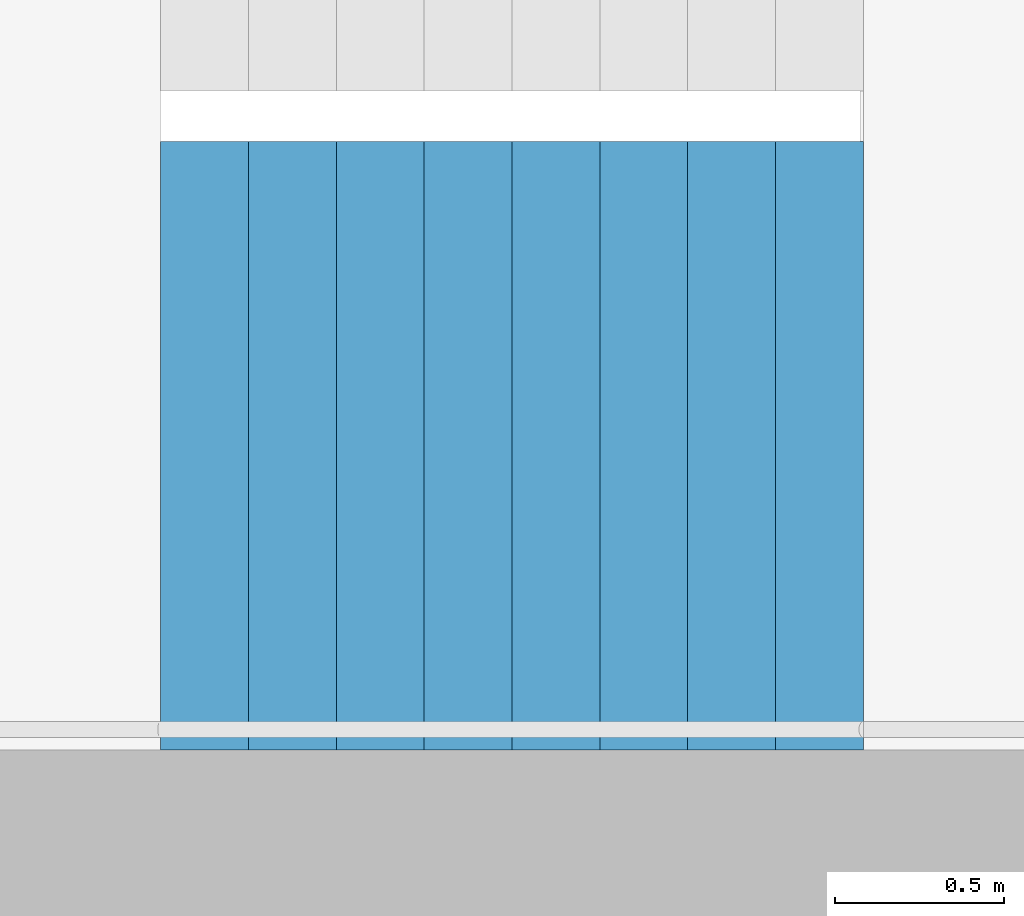
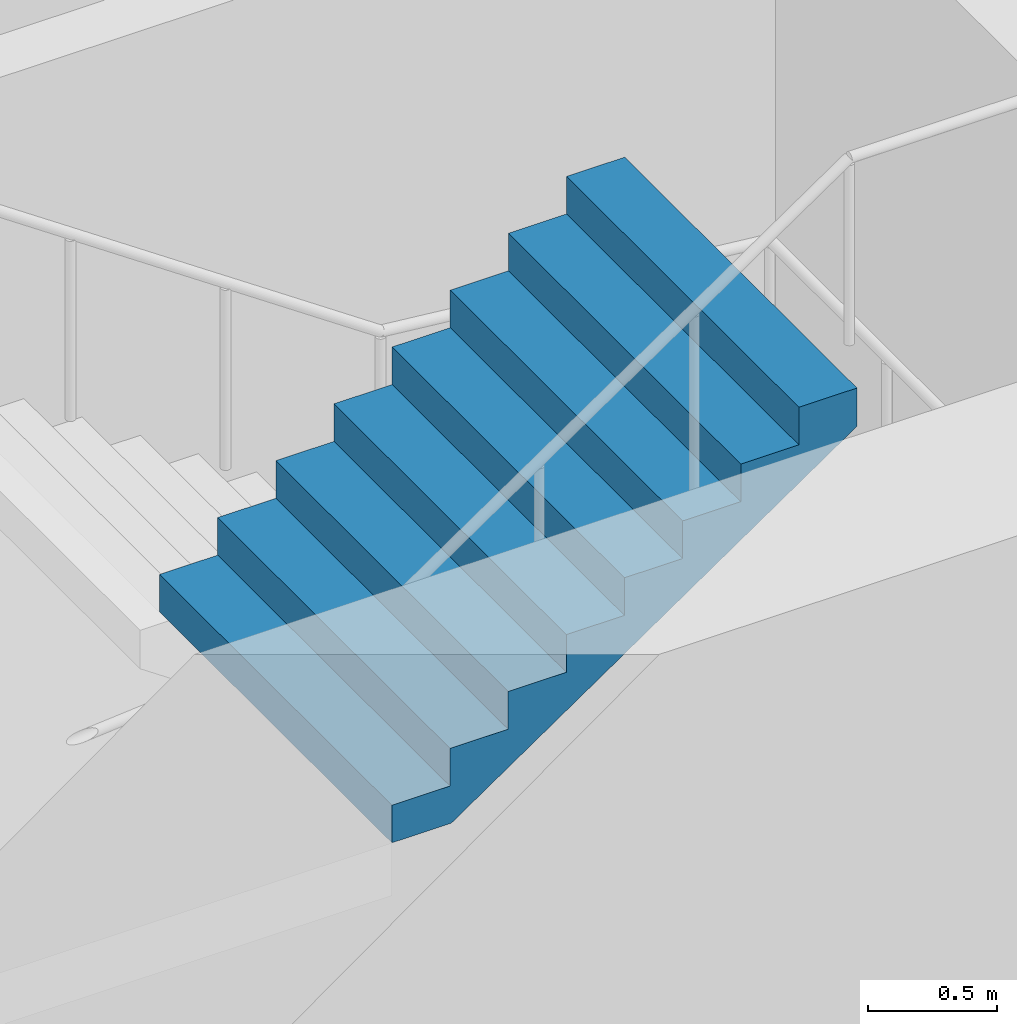
# One storey, part 18 of 44: 1 stair flight, 1 element without a shape of its own.
"""IFC4 building model written with IfcOpenShell, lengths in metres."""

from ifc_helpers import new_model, si_unit, direction, frame, origin, place, context, subcontext, project, spatial, triangles, material, type_object, element, aggregate, save


model = new_model("IFC4")

# Units and contexts
model_context = context("Model", 3, precision=1e-05, world=origin(), true_north=direction((0.0, 1.0)))
body_context = subcontext(model_context, "Body", "Model", "MODEL_VIEW")
ifc_project = project(units=[si_unit("LENGTHUNIT", "METRE"), si_unit("AREAUNIT", "SQUARE_METRE"), si_unit("VOLUMEUNIT", "CUBIC_METRE"), si_unit("PLANEANGLEUNIT", "RADIAN"), si_unit("MASSUNIT", "GRAM", prefix="KILO")], contexts=[model_context])

# Site, building, storey
site_placement = place(None, origin())
site = spatial("IfcSite", under=ifc_project, at=site_placement, CompositionType="ELEMENT")
building_placement = place(site_placement, origin())
building = spatial("IfcBuilding", under=site, at=building_placement, Name="Hakoniwa Tower and Hamabe Station Hall", CompositionType="ELEMENT")
storey_placement = place(building_placement, frame((0.0, 0.0, 69.0)))
storey = spatial("IfcBuildingStorey", under=building, at=storey_placement, Name="L19", CompositionType="ELEMENT", Elevation=69.0)

# Stair, stair flight
ifc_material_1 = material(Name="Concrete C40", Category="concrete")
stair_type = type_object("IfcStairType", Name="ESCAPE STAIR 1800", PredefinedType="HALF_TURN_STAIR", material=ifc_material_1)
stair_placement = place(storey_placement, origin())
stair = element("IfcStair", 1, at=stair_placement, inside=storey, type_object=stair_type, Name="Escape stair ST-2 L19", PredefinedType="HALF_TURN_STAIR")
ifc_material_2 = material(Name="Concrete C40", Category="concrete")
stair_flight_type = type_object("IfcStairFlightType", Name="STAIR FLIGHT 1800", PredefinedType="STRAIGHT", material=ifc_material_2)
stair_flight_placement = place(storey_placement, frame((-25.47998046875, -6.60009765625, 4.800048828125), z_axis=(0.0, 0.0, 1.0), x_axis=(1.0, 0.0, 0.0)))
stair_flight = element("IfcStairFlight", 2, at=stair_flight_placement, type_object=stair_flight_type, Name="ST-2 flight 4", NumberOfRisers=9, NumberOfTreads=8, PredefinedType="STRAIGHT", RiserHeight=0.177777778, TreadLength=0.26, context=body_context, shape_type="Tessellation", body=[
    triangles([(0.0, 0.89990234375, 0.0), (0.260009765625, 0.89990234375, 0.0), (0.265625, 0.89990234375, 0.0), (0.52001953125, 0.89990234375, 0.174072265625), (0.780029296875, 0.89990234375, 0.351806640625), (1.0400390625, 0.89990234375, 0.529541015625), (1.300048828125, 0.89990234375, 0.707275390625), (1.56005859375, 0.89990234375, 0.885009765625), (1.820068359375, 0.89990234375, 1.062744140625), (2.080078125, 0.89990234375, 1.24072265625), (2.080078125, 0.89990234375, 1.422119140625), (1.820068359375, 0.89990234375, 1.422119140625), (1.820068359375, 0.89990234375, 1.244384765625), (1.56005859375, 0.89990234375, 1.244384765625), (1.56005859375, 0.89990234375, 1.066650390625), (1.300048828125, 0.89990234375, 1.066650390625), (1.300048828125, 0.89990234375, 0.888916015625), (1.0400390625, 0.89990234375, 0.888916015625), (1.0400390625, 0.89990234375, 0.711181640625), (0.780029296875, 0.89990234375, 0.711181640625), (0.780029296875, 0.89990234375, 0.533447265625), (0.52001953125, 0.89990234375, 0.533447265625), (0.52001953125, 0.89990234375, 0.35546875), (0.265625, 0.89990234375, 0.35546875), (0.260009765625, 0.89990234375, 0.35546875), (0.260009765625, 0.89990234375, 0.177734375), (0.0, 0.89990234375, 0.177734375), (0.0, 0.06005859375, 0.0), (0.260009765625, 0.06005859375, 0.0), (0.265625, 0.06005859375, 0.0), (0.52001953125, 0.06005859375, 0.174072265625), (0.780029296875, 0.06005859375, 0.351806640625), (1.0400390625, 0.06005859375, 0.529541015625), (1.300048828125, 0.06005859375, 0.707275390625), (1.56005859375, 0.06005859375, 0.885009765625), (1.820068359375, 0.06005859375, 1.062744140625), (2.080078125, 0.06005859375, 1.24072265625), (2.080078125, 0.06005859375, 1.422119140625), (1.820068359375, 0.06005859375, 1.422119140625), (1.820068359375, 0.06005859375, 1.244384765625), (1.56005859375, 0.06005859375, 1.244384765625), (1.56005859375, 0.06005859375, 1.066650390625), (1.300048828125, 0.06005859375, 1.066650390625), (1.300048828125, 0.06005859375, 0.888916015625), (1.0400390625, 0.06005859375, 0.888916015625), (1.0400390625, 0.06005859375, 0.711181640625), (0.780029296875, 0.06005859375, 0.711181640625), (0.780029296875, 0.06005859375, 0.533447265625), (0.52001953125, 0.06005859375, 0.533447265625), (0.52001953125, 0.06005859375, 0.35546875), (0.265625, 0.06005859375, 0.35546875), (0.260009765625, 0.06005859375, 0.35546875), (0.260009765625, 0.06005859375, 0.177734375), (0.0, 0.06005859375, 0.177734375), (0.0, 0.04296875, 0.0), (0.260009765625, 0.04296875, 0.0), (0.265625, 0.04296875, 0.0), (0.52001953125, 0.04296875, 0.174072265625), (0.780029296875, 0.04296875, 0.351806640625), (1.0400390625, 0.04296875, 0.529541015625), (1.300048828125, 0.04296875, 0.707275390625), (1.56005859375, 0.04296875, 0.885009765625), (1.820068359375, 0.04296875, 1.062744140625), (2.080078125, 0.04296875, 1.24072265625), (2.080078125, 0.04296875, 1.422119140625), (1.820068359375, 0.04296875, 1.422119140625), (1.820068359375, 0.04296875, 1.244384765625), (1.56005859375, 0.04296875, 1.244384765625), (1.56005859375, 0.04296875, 1.066650390625), (1.300048828125, 0.04296875, 1.066650390625), (1.300048828125, 0.04296875, 0.888916015625), (1.0400390625, 0.04296875, 0.888916015625), (1.0400390625, 0.04296875, 0.711181640625), (0.780029296875, 0.04296875, 0.711181640625), (0.780029296875, 0.04296875, 0.533447265625), (0.52001953125, 0.04296875, 0.533447265625), (0.52001953125, 0.04296875, 0.35546875), (0.265625, 0.04296875, 0.35546875), (0.260009765625, 0.04296875, 0.35546875), (0.260009765625, 0.04296875, 0.177734375), (0.0, 0.04296875, 0.177734375), (0.0, 0.025634765625, 0.0), (0.260009765625, 0.025634765625, 0.0), (0.265625, 0.025634765625, 0.0), (0.52001953125, 0.025634765625, 0.174072265625), (0.780029296875, 0.025634765625, 0.351806640625), (1.0400390625, 0.025634765625, 0.529541015625), (1.300048828125, 0.025634765625, 0.707275390625), (1.56005859375, 0.025634765625, 0.885009765625), (1.820068359375, 0.025634765625, 1.062744140625), (2.080078125, 0.025634765625, 1.24072265625), (2.080078125, 0.025634765625, 1.422119140625), (1.820068359375, 0.025634765625, 1.422119140625), (1.820068359375, 0.025634765625, 1.244384765625), (1.56005859375, 0.025634765625, 1.244384765625), (1.56005859375, 0.025634765625, 1.066650390625), (1.300048828125, 0.025634765625, 1.066650390625), (1.300048828125, 0.025634765625, 0.888916015625), (1.0400390625, 0.025634765625, 0.888916015625), (1.0400390625, 0.025634765625, 0.711181640625), (0.780029296875, 0.025634765625, 0.711181640625), (0.780029296875, 0.025634765625, 0.533447265625), (0.52001953125, 0.025634765625, 0.533447265625), (0.52001953125, 0.025634765625, 0.35546875), (0.265625, 0.025634765625, 0.35546875), (0.260009765625, 0.025634765625, 0.35546875), (0.260009765625, 0.025634765625, 0.177734375), (0.0, 0.025634765625, 0.177734375), (0.0, 0.008544921875, 0.0), (0.260009765625, 0.008544921875, 0.0), (0.265625, 0.008544921875, 0.0), (0.52001953125, 0.008544921875, 0.174072265625), (0.780029296875, 0.008544921875, 0.351806640625), (1.0400390625, 0.008544921875, 0.529541015625), (1.300048828125, 0.008544921875, 0.707275390625), (1.56005859375, 0.008544921875, 0.885009765625), (1.820068359375, 0.008544921875, 1.062744140625), (2.080078125, 0.008544921875, 1.24072265625), (2.080078125, 0.008544921875, 1.422119140625), (1.820068359375, 0.008544921875, 1.422119140625), (1.820068359375, 0.008544921875, 1.244384765625), (1.56005859375, 0.008544921875, 1.244384765625), (1.56005859375, 0.008544921875, 1.066650390625), (1.300048828125, 0.008544921875, 1.066650390625), (1.300048828125, 0.008544921875, 0.888916015625), (1.0400390625, 0.008544921875, 0.888916015625), (1.0400390625, 0.008544921875, 0.711181640625), (0.780029296875, 0.008544921875, 0.711181640625), (0.780029296875, 0.008544921875, 0.533447265625), (0.52001953125, 0.008544921875, 0.533447265625), (0.52001953125, 0.008544921875, 0.35546875), (0.265625, 0.008544921875, 0.35546875), (0.260009765625, 0.008544921875, 0.35546875), (0.260009765625, 0.008544921875, 0.177734375), (0.0, 0.008544921875, 0.177734375), (0.0, -0.008544921875, 0.0), (0.260009765625, -0.008544921875, 0.0), (0.265625, -0.008544921875, 0.0), (0.52001953125, -0.008544921875, 0.174072265625), (0.780029296875, -0.008544921875, 0.351806640625), (1.0400390625, -0.008544921875, 0.529541015625), (1.300048828125, -0.008544921875, 0.707275390625), (1.56005859375, -0.008544921875, 0.885009765625), (1.820068359375, -0.008544921875, 1.062744140625), (2.080078125, -0.008544921875, 1.24072265625), (2.080078125, -0.008544921875, 1.422119140625), (1.820068359375, -0.008544921875, 1.422119140625), (1.820068359375, -0.008544921875, 1.244384765625), (1.56005859375, -0.008544921875, 1.244384765625), (1.56005859375, -0.008544921875, 1.066650390625), (1.300048828125, -0.008544921875, 1.066650390625), (1.300048828125, -0.008544921875, 0.888916015625), (1.0400390625, -0.008544921875, 0.888916015625), (1.0400390625, -0.008544921875, 0.711181640625), (0.780029296875, -0.008544921875, 0.711181640625), (0.780029296875, -0.008544921875, 0.533447265625), (0.52001953125, -0.008544921875, 0.533447265625), (0.52001953125, -0.008544921875, 0.35546875), (0.265625, -0.008544921875, 0.35546875), (0.260009765625, -0.008544921875, 0.35546875), (0.260009765625, -0.008544921875, 0.177734375), (0.0, -0.008544921875, 0.177734375), (0.0, -0.025634765625, 0.0), (0.260009765625, -0.025634765625, 0.0), (0.265625, -0.025634765625, 0.0), (0.52001953125, -0.025634765625, 0.174072265625), (0.780029296875, -0.025634765625, 0.351806640625), (1.0400390625, -0.025634765625, 0.529541015625), (1.300048828125, -0.025634765625, 0.707275390625), (1.56005859375, -0.025634765625, 0.885009765625), (1.820068359375, -0.025634765625, 1.062744140625), (2.080078125, -0.025634765625, 1.24072265625), (2.080078125, -0.025634765625, 1.422119140625), (1.820068359375, -0.025634765625, 1.422119140625), (1.820068359375, -0.025634765625, 1.244384765625), (1.56005859375, -0.025634765625, 1.244384765625), (1.56005859375, -0.025634765625, 1.066650390625), (1.300048828125, -0.025634765625, 1.066650390625), (1.300048828125, -0.025634765625, 0.888916015625), (1.0400390625, -0.025634765625, 0.888916015625), (1.0400390625, -0.025634765625, 0.711181640625), (0.780029296875, -0.025634765625, 0.711181640625), (0.780029296875, -0.025634765625, 0.533447265625), (0.52001953125, -0.025634765625, 0.533447265625), (0.52001953125, -0.025634765625, 0.35546875), (0.265625, -0.025634765625, 0.35546875), (0.260009765625, -0.025634765625, 0.35546875), (0.260009765625, -0.025634765625, 0.177734375), (0.0, -0.025634765625, 0.177734375), (0.0, -0.04296875, 0.0), (0.260009765625, -0.04296875, 0.0), (0.265625, -0.04296875, 0.0), (0.52001953125, -0.04296875, 0.174072265625), (0.780029296875, -0.04296875, 0.351806640625), (1.0400390625, -0.04296875, 0.529541015625), (1.300048828125, -0.04296875, 0.707275390625), (1.56005859375, -0.04296875, 0.885009765625), (1.820068359375, -0.04296875, 1.062744140625), (2.080078125, -0.04296875, 1.24072265625), (2.080078125, -0.04296875, 1.422119140625), (1.820068359375, -0.04296875, 1.422119140625), (1.820068359375, -0.04296875, 1.244384765625), (1.56005859375, -0.04296875, 1.244384765625), (1.56005859375, -0.04296875, 1.066650390625), (1.300048828125, -0.04296875, 1.066650390625), (1.300048828125, -0.04296875, 0.888916015625), (1.0400390625, -0.04296875, 0.888916015625), (1.0400390625, -0.04296875, 0.711181640625), (0.780029296875, -0.04296875, 0.711181640625), (0.780029296875, -0.04296875, 0.533447265625), (0.52001953125, -0.04296875, 0.533447265625), (0.52001953125, -0.04296875, 0.35546875), (0.265625, -0.04296875, 0.35546875), (0.260009765625, -0.04296875, 0.35546875), (0.260009765625, -0.04296875, 0.177734375), (0.0, -0.04296875, 0.177734375), (0.0, -0.06005859375, 0.0), (0.260009765625, -0.06005859375, 0.0), (0.265625, -0.06005859375, 0.0), (0.52001953125, -0.06005859375, 0.174072265625), (0.780029296875, -0.06005859375, 0.351806640625), (1.0400390625, -0.06005859375, 0.529541015625), (1.300048828125, -0.06005859375, 0.707275390625), (1.56005859375, -0.06005859375, 0.885009765625), (1.820068359375, -0.06005859375, 1.062744140625), (2.080078125, -0.06005859375, 1.24072265625), (2.080078125, -0.06005859375, 1.422119140625), (1.820068359375, -0.06005859375, 1.422119140625), (1.820068359375, -0.06005859375, 1.244384765625), (1.56005859375, -0.06005859375, 1.244384765625), (1.56005859375, -0.06005859375, 1.066650390625), (1.300048828125, -0.06005859375, 1.066650390625), (1.300048828125, -0.06005859375, 0.888916015625), (1.0400390625, -0.06005859375, 0.888916015625), (1.0400390625, -0.06005859375, 0.711181640625), (0.780029296875, -0.06005859375, 0.711181640625), (0.780029296875, -0.06005859375, 0.533447265625), (0.52001953125, -0.06005859375, 0.533447265625), (0.52001953125, -0.06005859375, 0.35546875), (0.265625, -0.06005859375, 0.35546875), (0.260009765625, -0.06005859375, 0.35546875), (0.260009765625, -0.06005859375, 0.177734375), (0.0, -0.06005859375, 0.177734375), (0.0, -0.89990234375, 0.0), (0.260009765625, -0.89990234375, 0.0), (0.265625, -0.89990234375, 0.0), (0.52001953125, -0.89990234375, 0.174072265625), (0.780029296875, -0.89990234375, 0.351806640625), (1.0400390625, -0.89990234375, 0.529541015625), (1.300048828125, -0.89990234375, 0.707275390625), (1.56005859375, -0.89990234375, 0.885009765625), (1.820068359375, -0.89990234375, 1.062744140625), (2.080078125, -0.89990234375, 1.24072265625), (2.080078125, -0.89990234375, 1.422119140625), (1.820068359375, -0.89990234375, 1.422119140625), (1.820068359375, -0.89990234375, 1.244384765625), (1.56005859375, -0.89990234375, 1.244384765625), (1.56005859375, -0.89990234375, 1.066650390625), (1.300048828125, -0.89990234375, 1.066650390625), (1.300048828125, -0.89990234375, 0.888916015625), (1.0400390625, -0.89990234375, 0.888916015625), (1.0400390625, -0.89990234375, 0.711181640625), (0.780029296875, -0.89990234375, 0.711181640625), (0.780029296875, -0.89990234375, 0.533447265625), (0.52001953125, -0.89990234375, 0.533447265625), (0.52001953125, -0.89990234375, 0.35546875), (0.265625, -0.89990234375, 0.35546875), (0.260009765625, -0.89990234375, 0.35546875), (0.260009765625, -0.89990234375, 0.177734375), (0.0, -0.89990234375, 0.177734375)], [[2, 27, 26], [245, 269, 270], [2, 1, 27], [245, 270, 244], [3, 25, 24], [246, 267, 268], [3, 26, 25], [246, 268, 269], [3, 2, 26], [246, 269, 245], [4, 24, 23], [247, 266, 267], [4, 3, 24], [247, 267, 246], [5, 22, 21], [248, 264, 265], [5, 23, 22], [248, 265, 266], [5, 4, 23], [248, 266, 247], [6, 20, 19], [249, 262, 263], [6, 21, 20], [249, 263, 264], [6, 5, 21], [249, 264, 248], [7, 18, 17], [250, 260, 261], [7, 19, 18], [250, 261, 262], [7, 6, 19], [250, 262, 249], [8, 16, 15], [251, 258, 259], [8, 17, 16], [251, 259, 260], [8, 7, 17], [251, 260, 250], [9, 14, 13], [252, 256, 257], [9, 15, 14], [252, 257, 258], [9, 8, 15], [252, 258, 251], [10, 12, 11], [253, 254, 255], [10, 13, 12], [253, 255, 256], [10, 9, 13], [253, 256, 252], [1, 2, 29], [1, 29, 28], [28, 29, 56], [28, 56, 55], [55, 56, 83], [55, 83, 82], [82, 83, 110], [82, 110, 109], [109, 110, 137], [109, 137, 136], [136, 137, 164], [136, 164, 163], [163, 164, 191], [163, 191, 190], [190, 191, 218], [190, 218, 217], [217, 218, 245], [217, 245, 244], [2, 3, 30], [2, 30, 29], [29, 30, 57], [29, 57, 56], [56, 57, 84], [56, 84, 83], [83, 84, 111], [83, 111, 110], [110, 111, 138], [110, 138, 137], [137, 138, 165], [137, 165, 164], [164, 165, 192], [164, 192, 191], [191, 192, 219], [191, 219, 218], [218, 219, 246], [218, 246, 245], [3, 4, 31], [3, 31, 30], [30, 31, 58], [30, 58, 57], [57, 58, 85], [57, 85, 84], [84, 85, 112], [84, 112, 111], [111, 112, 139], [111, 139, 138], [138, 139, 166], [138, 166, 165], [165, 166, 193], [165, 193, 192], [192, 193, 220], [192, 220, 219], [219, 220, 247], [219, 247, 246], [4, 5, 32], [4, 32, 31], [31, 32, 59], [31, 59, 58], [58, 59, 86], [58, 86, 85], [85, 86, 113], [85, 113, 112], [112, 113, 140], [112, 140, 139], [139, 140, 167], [139, 167, 166], [166, 167, 194], [166, 194, 193], [193, 194, 221], [193, 221, 220], [220, 221, 248], [220, 248, 247], [5, 6, 33], [5, 33, 32], [32, 33, 60], [32, 60, 59], [59, 60, 87], [59, 87, 86], [86, 87, 114], [86, 114, 113], [113, 114, 141], [113, 141, 140], [140, 141, 168], [140, 168, 167], [167, 168, 195], [167, 195, 194], [194, 195, 222], [194, 222, 221], [221, 222, 249], [221, 249, 248], [6, 7, 34], [6, 34, 33], [33, 34, 61], [33, 61, 60], [60, 61, 88], [60, 88, 87], [87, 88, 115], [87, 115, 114], [114, 115, 142], [114, 142, 141], [141, 142, 169], [141, 169, 168], [168, 169, 196], [168, 196, 195], [195, 196, 223], [195, 223, 222], [222, 223, 250], [222, 250, 249], [7, 8, 35], [7, 35, 34], [34, 35, 62], [34, 62, 61], [61, 62, 89], [61, 89, 88], [88, 89, 116], [88, 116, 115], [115, 116, 143], [115, 143, 142], [142, 143, 170], [142, 170, 169], [169, 170, 197], [169, 197, 196], [196, 197, 224], [196, 224, 223], [223, 224, 251], [223, 251, 250], [8, 9, 36], [8, 36, 35], [35, 36, 63], [35, 63, 62], [62, 63, 90], [62, 90, 89], [89, 90, 117], [89, 117, 116], [116, 117, 144], [116, 144, 143], [143, 144, 171], [143, 171, 170], [170, 171, 198], [170, 198, 197], [197, 198, 225], [197, 225, 224], [224, 225, 252], [224, 252, 251], [9, 10, 37], [9, 37, 36], [36, 37, 64], [36, 64, 63], [63, 64, 91], [63, 91, 90], [90, 91, 118], [90, 118, 117], [117, 118, 145], [117, 145, 144], [144, 145, 172], [144, 172, 171], [171, 172, 199], [171, 199, 198], [198, 199, 226], [198, 226, 225], [225, 226, 253], [225, 253, 252], [10, 11, 38], [10, 38, 37], [37, 38, 65], [37, 65, 64], [64, 65, 92], [64, 92, 91], [91, 92, 119], [91, 119, 118], [118, 119, 146], [118, 146, 145], [145, 146, 173], [145, 173, 172], [172, 173, 200], [172, 200, 199], [199, 200, 227], [199, 227, 226], [226, 227, 254], [226, 254, 253], [11, 12, 39], [11, 39, 38], [38, 39, 66], [38, 66, 65], [65, 66, 93], [65, 93, 92], [92, 93, 120], [92, 120, 119], [119, 120, 147], [119, 147, 146], [146, 147, 174], [146, 174, 173], [173, 174, 201], [173, 201, 200], [200, 201, 228], [200, 228, 227], [227, 228, 255], [227, 255, 254], [12, 13, 40], [12, 40, 39], [39, 40, 67], [39, 67, 66], [66, 67, 94], [66, 94, 93], [93, 94, 121], [93, 121, 120], [120, 121, 148], [120, 148, 147], [147, 148, 175], [147, 175, 174], [174, 175, 202], [174, 202, 201], [201, 202, 229], [201, 229, 228], [228, 229, 256], [228, 256, 255], [13, 14, 41], [13, 41, 40], [40, 41, 68], [40, 68, 67], [67, 68, 95], [67, 95, 94], [94, 95, 122], [94, 122, 121], [121, 122, 149], [121, 149, 148], [148, 149, 176], [148, 176, 175], [175, 176, 203], [175, 203, 202], [202, 203, 230], [202, 230, 229], [229, 230, 257], [229, 257, 256], [14, 15, 42], [14, 42, 41], [41, 42, 69], [41, 69, 68], [68, 69, 96], [68, 96, 95], [95, 96, 123], [95, 123, 122], [122, 123, 150], [122, 150, 149], [149, 150, 177], [149, 177, 176], [176, 177, 204], [176, 204, 203], [203, 204, 231], [203, 231, 230], [230, 231, 258], [230, 258, 257], [15, 16, 43], [15, 43, 42], [42, 43, 70], [42, 70, 69], [69, 70, 97], [69, 97, 96], [96, 97, 124], [96, 124, 123], [123, 124, 151], [123, 151, 150], [150, 151, 178], [150, 178, 177], [177, 178, 205], [177, 205, 204], [204, 205, 232], [204, 232, 231], [231, 232, 259], [231, 259, 258], [16, 17, 44], [16, 44, 43], [43, 44, 71], [43, 71, 70], [70, 71, 98], [70, 98, 97], [97, 98, 125], [97, 125, 124], [124, 125, 152], [124, 152, 151], [151, 152, 179], [151, 179, 178], [178, 179, 206], [178, 206, 205], [205, 206, 233], [205, 233, 232], [232, 233, 260], [232, 260, 259], [17, 18, 45], [17, 45, 44], [44, 45, 72], [44, 72, 71], [71, 72, 99], [71, 99, 98], [98, 99, 126], [98, 126, 125], [125, 126, 153], [125, 153, 152], [152, 153, 180], [152, 180, 179], [179, 180, 207], [179, 207, 206], [206, 207, 234], [206, 234, 233], [233, 234, 261], [233, 261, 260], [18, 19, 46], [18, 46, 45], [45, 46, 73], [45, 73, 72], [72, 73, 100], [72, 100, 99], [99, 100, 127], [99, 127, 126], [126, 127, 154], [126, 154, 153], [153, 154, 181], [153, 181, 180], [180, 181, 208], [180, 208, 207], [207, 208, 235], [207, 235, 234], [234, 235, 262], [234, 262, 261], [19, 20, 47], [19, 47, 46], [46, 47, 74], [46, 74, 73], [73, 74, 101], [73, 101, 100], [100, 101, 128], [100, 128, 127], [127, 128, 155], [127, 155, 154], [154, 155, 182], [154, 182, 181], [181, 182, 209], [181, 209, 208], [208, 209, 236], [208, 236, 235], [235, 236, 263], [235, 263, 262], [20, 21, 48], [20, 48, 47], [47, 48, 75], [47, 75, 74], [74, 75, 102], [74, 102, 101], [101, 102, 129], [101, 129, 128], [128, 129, 156], [128, 156, 155], [155, 156, 183], [155, 183, 182], [182, 183, 210], [182, 210, 209], [209, 210, 237], [209, 237, 236], [236, 237, 264], [236, 264, 263], [21, 22, 49], [21, 49, 48], [48, 49, 76], [48, 76, 75], [75, 76, 103], [75, 103, 102], [102, 103, 130], [102, 130, 129], [129, 130, 157], [129, 157, 156], [156, 157, 184], [156, 184, 183], [183, 184, 211], [183, 211, 210], [210, 211, 238], [210, 238, 237], [237, 238, 265], [237, 265, 264], [22, 23, 50], [22, 50, 49], [49, 50, 77], [49, 77, 76], [76, 77, 104], [76, 104, 103], [103, 104, 131], [103, 131, 130], [130, 131, 158], [130, 158, 157], [157, 158, 185], [157, 185, 184], [184, 185, 212], [184, 212, 211], [211, 212, 239], [211, 239, 238], [238, 239, 266], [238, 266, 265], [23, 24, 51], [23, 51, 50], [50, 51, 78], [50, 78, 77], [77, 78, 105], [77, 105, 104], [104, 105, 132], [104, 132, 131], [131, 132, 159], [131, 159, 158], [158, 159, 186], [158, 186, 185], [185, 186, 213], [185, 213, 212], [212, 213, 240], [212, 240, 239], [239, 240, 267], [239, 267, 266], [24, 25, 52], [24, 52, 51], [51, 52, 79], [51, 79, 78], [78, 79, 106], [78, 106, 105], [105, 106, 133], [105, 133, 132], [132, 133, 160], [132, 160, 159], [159, 160, 187], [159, 187, 186], [186, 187, 214], [186, 214, 213], [213, 214, 241], [213, 241, 240], [240, 241, 268], [240, 268, 267], [25, 26, 53], [25, 53, 52], [52, 53, 80], [52, 80, 79], [79, 80, 107], [79, 107, 106], [106, 107, 134], [106, 134, 133], [133, 134, 161], [133, 161, 160], [160, 161, 188], [160, 188, 187], [187, 188, 215], [187, 215, 214], [214, 215, 242], [214, 242, 241], [241, 242, 269], [241, 269, 268], [26, 27, 54], [26, 54, 53], [53, 54, 81], [53, 81, 80], [80, 81, 108], [80, 108, 107], [107, 108, 135], [107, 135, 134], [134, 135, 162], [134, 162, 161], [161, 162, 189], [161, 189, 188], [188, 189, 216], [188, 216, 215], [215, 216, 243], [215, 243, 242], [242, 243, 270], [242, 270, 269], [27, 1, 28], [27, 28, 54], [54, 28, 55], [54, 55, 81], [81, 55, 82], [81, 82, 108], [108, 82, 109], [108, 109, 135], [135, 109, 136], [135, 136, 162], [162, 136, 163], [162, 163, 189], [189, 163, 190], [189, 190, 216], [216, 190, 217], [216, 217, 243], [243, 217, 244], [243, 244, 270]], closed=True),
])
aggregate(stair, [stair_flight])

save(model, "model.ifc")
